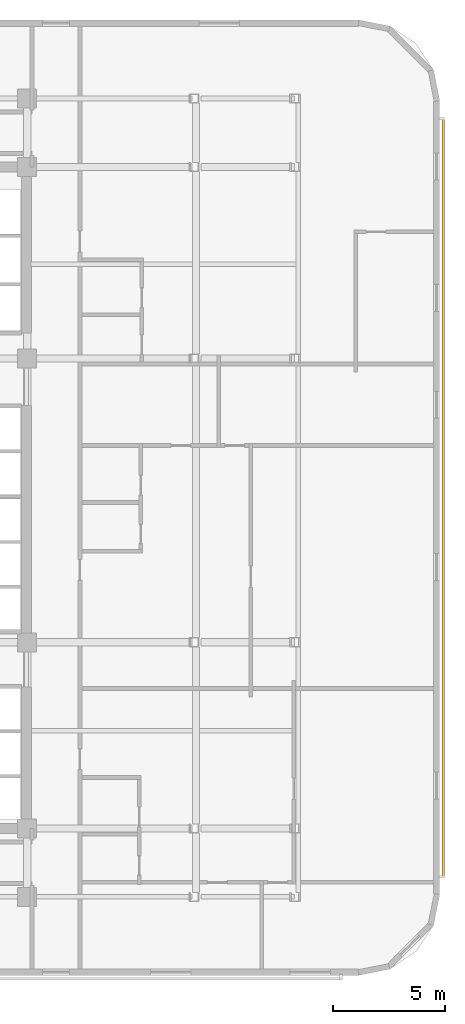
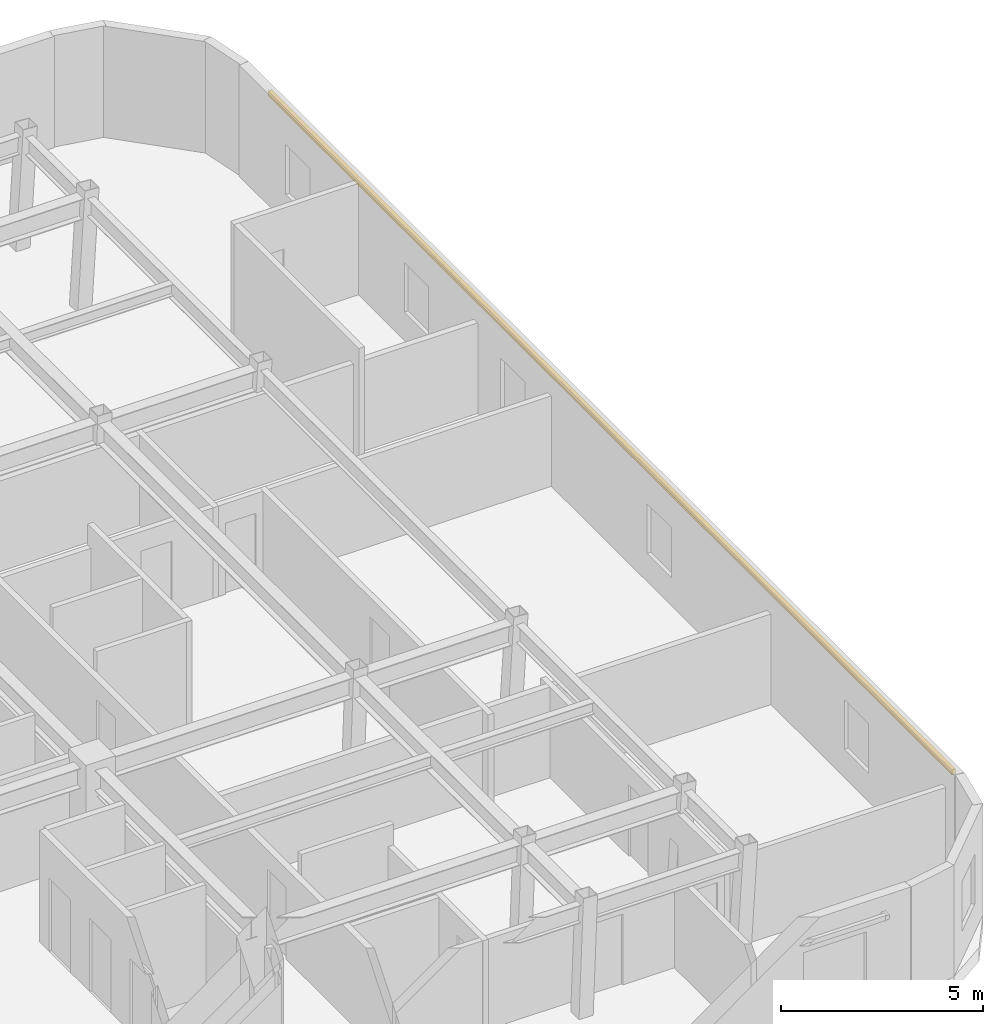
# One storey, part 18 of 19: 1 shading device.
"""IFC4 building model written with IfcOpenShell, lengths in metres."""

import ifcopenshell
import ifcopenshell.guid

model = None  # the IFC model being written
_history = None  # IfcOwnerHistory: only IFC2X3 demands one
_inside = {}  # id of a spatial element -> (the spatial element, [elements in it])
_under = {}  # id of a project, library or spatial element -> (it, [spatial elements below it])
_declared = {}  # id of a project -> (the project, [libraries it declares])
_typed = {}  # id of a type object -> (the type object, [elements of that type])
_made_of = {}  # id of a material, layer set ... -> (it, [elements and type objects made of it])


def new_model(schema):
    """Start an empty IFC model of exactly this schema.

    Asked for "IFC4X3", IfcOpenShell would pick the latest addendum, in which some entities
    have other attributes; the version numbers below select the first issue.
    IFC2X3 requires an IfcOwnerHistory on every rooted entity: one is made here for all.
    """
    global model, _history
    if schema == "IFC4X3":
        model = ifcopenshell.file(schema_version=(4, 3, 0, 0))
    else:
        model = ifcopenshell.file(schema=schema)
    _inside.clear()
    _under.clear()
    _declared.clear()
    _typed.clear()
    _made_of.clear()
    _history = None
    if model.schema == "IFC2X3":
        org = make("IfcOrganization", Name="unknown")
        user = make(
            "IfcPersonAndOrganization",
            ThePerson=make("IfcPerson", FamilyName="unknown"),
            TheOrganization=org,
        )
        app = make(
            "IfcApplication",
            ApplicationDeveloper=org,
            Version="unknown",
            ApplicationFullName="unknown",
            ApplicationIdentifier="unknown",
        )
        _history = make(
            "IfcOwnerHistory",
            OwningUser=user,
            OwningApplication=app,
            ChangeAction="ADDED",
            CreationDate=0,
        )
    return model


def make(cls, **values):
    """One entity of the class cls with the attributes given. An attribute that is None is left unset."""
    return model.create_entity(
        cls, **{name: value for name, value in values.items() if value is not None}
    )


def rooted(cls, **values):
    """An entity with a GlobalId (a new one), such as an element, a storey or a relation."""
    return make(cls, GlobalId=ifcopenshell.guid.new(), OwnerHistory=_history, **values)


def si_unit(unit_type, name, prefix=None):
    """IfcSIUnit, for example si_unit("LENGTHUNIT", "METRE", prefix="MILLI")."""
    return make("IfcSIUnit", UnitType=unit_type, Prefix=prefix, Name=name)


def assignment(units):
    """IfcUnitAssignment: the units of a project."""
    return None if units is None else make("IfcUnitAssignment", Units=units)


def point(xyz):
    """IfcCartesianPoint."""
    return None if xyz is None else make("IfcCartesianPoint", Coordinates=xyz)


def direction(xyz):
    """IfcDirection."""
    return None if xyz is None else make("IfcDirection", DirectionRatios=xyz)


def frame(location, z_axis=None, x_axis=None):
    """IfcAxis2Placement3D, a coordinate frame: its origin and axes. An axis left out is left unset."""
    return make(
        "IfcAxis2Placement3D",
        Location=point(location),
        Axis=direction(z_axis),
        RefDirection=direction(x_axis),
    )


def frame_2d(location, x_axis=None):
    """IfcAxis2Placement2D, a coordinate frame in the plane: its origin and x axis."""
    return make(
        "IfcAxis2Placement2D", Location=point(location), RefDirection=direction(x_axis)
    )


def origin():
    """The frame at (0, 0, 0) with its axes left unset."""
    return frame((0.0, 0.0, 0.0))


def origin_2d():
    """The frame at (0, 0) in the plane with its x axis left unset."""
    return frame_2d((0.0, 0.0))


def place(relative_to, where):
    """IfcLocalPlacement: puts the frame where relative to a parent placement (None: the world)."""
    return make(
        "IfcLocalPlacement", PlacementRelTo=relative_to, RelativePlacement=where
    )


def context(
    kind, dimensions, precision=None, world=None, true_north=None, identifier=None
):
    """IfcGeometricRepresentationContext, for example the 3D "Model" context."""
    return make(
        "IfcGeometricRepresentationContext",
        ContextIdentifier=identifier,
        ContextType=kind,
        CoordinateSpaceDimension=dimensions,
        Precision=precision,
        WorldCoordinateSystem=world,
        TrueNorth=true_north,
    )


def subcontext(parent, identifier, kind, view, scale=None):
    """IfcGeometricRepresentationSubContext, for example "Body" below "Model"."""
    return make(
        "IfcGeometricRepresentationSubContext",
        ContextIdentifier=identifier,
        ContextType=kind,
        ParentContext=parent,
        TargetScale=scale,
        TargetView=view,
    )


def project(units=None, contexts=None):
    """IfcProject with its units and contexts."""
    return rooted(
        "IfcProject",
        Name="project",
        RepresentationContexts=contexts,
        UnitsInContext=assignment(units),
    )


def spatial(cls, under=None, at=None, **own):
    """A site, building, storey or space (cls), placed at a placement, below another one or the project."""
    s = rooted(cls, ObjectPlacement=at, **own)
    if under is not None:
        _under.setdefault(under.id(), (under, []))[1].append(s)
    return s


def profile(cls, at=None, kind="AREA", **sizes):
    """A parametric profile (cls). Its sizes go by their IFC names, for example OverallWidth=200.0."""
    return make(cls, ProfileType=kind, Position=at, **sizes)


def rectangle(**sizes):
    """IfcRectangleProfileDef."""
    return profile("IfcRectangleProfileDef", **sizes)


def extrude(swept, where, along, depth):
    """IfcExtrudedAreaSolid: the profile swept, set in the frame where, extruded along a direction by depth."""
    return make(
        "IfcExtrudedAreaSolid",
        SweptArea=swept,
        Position=where,
        ExtrudedDirection=direction(along),
        Depth=depth,
    )


def shape(context_of_items, identifier, shape_type, items):
    """IfcShapeRepresentation: the items that make up one representation, for example the "Body"."""
    return make(
        "IfcShapeRepresentation",
        ContextOfItems=context_of_items,
        RepresentationIdentifier=identifier,
        RepresentationType=shape_type,
        Items=items,
    )


def material(Name=None, Category=None):
    """IfcMaterial."""
    return make("IfcMaterial", Name=Name, Category=Category)


def material_profile(
    of_material, cross_section, Name=None, Category=None, Priority=None
):
    """IfcMaterialProfile: a cross section and its material."""
    return make(
        "IfcMaterialProfile",
        Name=Name,
        Material=of_material,
        Profile=cross_section,
        Priority=Priority,
        Category=Category,
    )


def profile_set(profiles, Name=None, composite=None):
    """IfcMaterialProfileSet."""
    return make(
        "IfcMaterialProfileSet",
        Name=Name,
        MaterialProfiles=profiles,
        CompositeProfile=composite,
    )


def made_of(thing, what):
    """Note that an element or type object is made of a material, layer set ...; save() writes the relation."""
    if what is not None:
        _made_of.setdefault(what.id(), (what, []))[1].append(thing)
    return thing


def type_object(cls, material=None, **own):
    """A type object (cls), such as IfcWallType, which elements share."""
    return made_of(rooted(cls, **own), material)


def element(
    cls,
    number,
    at=None,
    inside=None,
    cuts=None,
    type_object=None,
    material=None,
    context=None,
    identifier="Body",
    shape_type=None,
    held_by="IfcProductDefinitionShape",
    body=None,
    shapes=None,
    **own,
):
    """One element of the class cls, such as IfcWall. Its Tag is "e" and its number.

    at: its placement. inside: the storey or other place that contains it. cuts: it is an
    opening in that element (IfcRelVoidsElement). A single representation is given by context,
    identifier, shape_type and body (its items); several are given by shapes. held_by: the class
    of the entity that holds the representations. save() writes the other relations.
    """
    e = rooted(cls, Tag="e%d" % number, ObjectPlacement=at, **own)
    if body is not None:
        shapes = [shape(context, identifier, shape_type, body)]
    if shapes is not None:
        e.Representation = make(held_by, Representations=shapes)
    if inside is not None:
        _inside.setdefault(inside.id(), (inside, []))[1].append(e)
    if cuts is not None:
        rooted(
            "IfcRelVoidsElement", RelatingBuildingElement=cuts, RelatedOpeningElement=e
        )
    if type_object is not None:
        _typed.setdefault(type_object.id(), (type_object, []))[1].append(e)
    return made_of(e, material)


def aggregate(whole, parts):
    """IfcRelAggregates: a whole, such as a stair, and the parts it consists of."""
    return rooted("IfcRelAggregates", RelatingObject=whole, RelatedObjects=parts)


def save(model, path):
    """Write the relations noted so far, then the file.

    IfcRelAggregates (storeys below a building ...), IfcRelContainedInSpatialStructure (elements
    in a storey), IfcRelDefinesByType, IfcRelAssociatesMaterial and IfcRelDeclares: one each for
    every whole, place, type object, material and project.
    """
    for whole, parts in _under.values():
        aggregate(whole, parts)
    for where, things in _inside.values():
        rooted(
            "IfcRelContainedInSpatialStructure",
            RelatedElements=things,
            RelatingStructure=where,
        )
    for kind, things in _typed.values():
        rooted("IfcRelDefinesByType", RelatedObjects=things, RelatingType=kind)
    for what, things in _made_of.values():
        rooted("IfcRelAssociatesMaterial", RelatedObjects=things, RelatingMaterial=what)
    for by, libraries in _declared.values():
        rooted("IfcRelDeclares", RelatingContext=by, RelatedDefinitions=libraries)
    model.write(path)


model = new_model("IFC4")

# Units and contexts
model_context = context("Model", 3, precision=1e-05, world=origin(), true_north=direction((0.0, 1.0)))
body_context = subcontext(model_context, "Body", "Model", "MODEL_VIEW")
ifc_project = project(units=[si_unit("LENGTHUNIT", "METRE"), si_unit("AREAUNIT", "SQUARE_METRE"), si_unit("VOLUMEUNIT", "CUBIC_METRE"), si_unit("PLANEANGLEUNIT", "RADIAN"), si_unit("MASSUNIT", "GRAM", prefix="KILO")], contexts=[model_context])

# Site, building, storey
site_placement = place(None, origin())
site = spatial("IfcSite", under=ifc_project, at=site_placement, CompositionType="ELEMENT")
building_placement = place(site_placement, origin())
building = spatial("IfcBuilding", under=site, at=building_placement, Name="Ochreholt Gables", CompositionType="ELEMENT")
storey_placement = place(building_placement, frame((0.0, 0.0, 76.800048828125)))
storey = spatial("IfcBuildingStorey", under=building, at=storey_placement, Name="L19", CompositionType="ELEMENT", Elevation=76.800048828125)

# Shading device
ifc_material = material(Name="Warm Ochre Glazed Terracotta Baguette", Category="masonry")
ifc_material_profile = material_profile(ifc_material, rectangle(XDim=0.110107421875, YDim=0.14990234375, at=origin_2d()), Name="TCBAG110X150")
ifc_profile_set = profile_set([ifc_material_profile], Name="Warm Ochre Glazed Terracotta Baguette")
shading_device_type = type_object("IfcShadingDeviceType", Name="SHD-BAGUETTE", PredefinedType="USERDEFINED", material=ifc_profile_set)
shading_device_placement = place(storey_placement, frame((53.75, 7.10009765625, 2.83984375), z_axis=(0.0, 1.0, 0.0), x_axis=(-1.0, 0.0, 0.0)))
element("IfcShadingDevice", 1, at=shading_device_placement, inside=storey, type_object=shading_device_type, Name="L19 Terracotta Baguette Screen E-1", ObjectType="BAGUETTE", PredefinedType="USERDEFINED", context=body_context, shape_type="SweptSolid", body=[
    extrude(rectangle(XDim=0.110107421875, YDim=0.14990234375, at=origin_2d()), origin(), (0.0, 0.0, 1.0), 33.7998046875),
])

save(model, "model.ifc")
